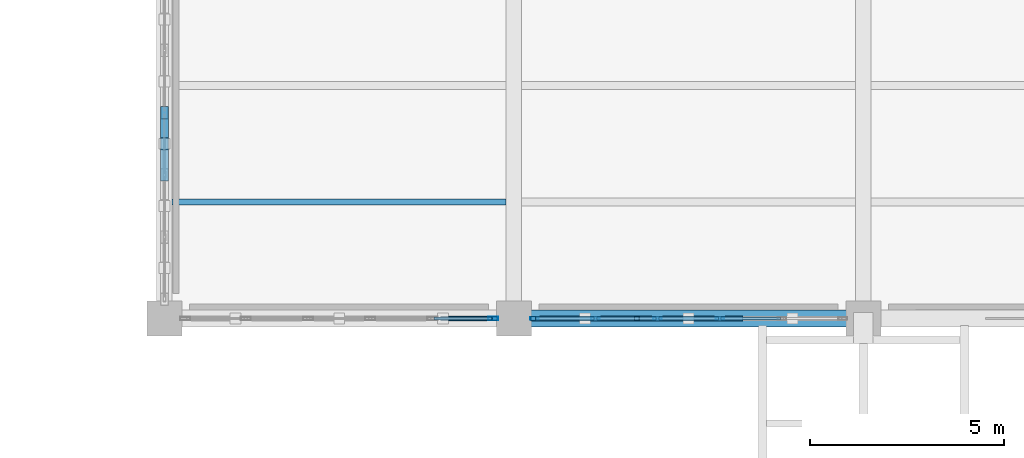
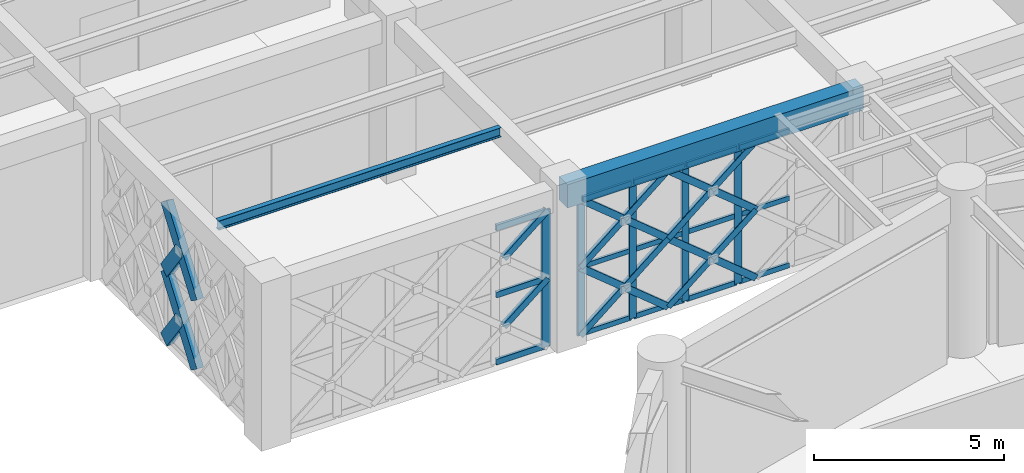
# One storey, part 75 of 166: 38 members, 2 beams, 2 elements without a shape of their own.
"""IFC4 building model written with IfcOpenShell, lengths in metres."""

from ifc_helpers import new_model, si_unit, direction, frame, origin, origin_2d, place, context, subcontext, project, spatial, rectangle, hollow_rectangle, i_section, extrude, material, material_profile, profile_set, type_object, element, aggregate, save


model = new_model("IFC4")

# Units and contexts
model_context = context("Model", 3, precision=1e-05, world=origin(), true_north=direction((0.0, 1.0)))
body_context = subcontext(model_context, "Body", "Model", "MODEL_VIEW")
ifc_project = project(units=[si_unit("LENGTHUNIT", "METRE"), si_unit("AREAUNIT", "SQUARE_METRE"), si_unit("VOLUMEUNIT", "CUBIC_METRE"), si_unit("PLANEANGLEUNIT", "RADIAN"), si_unit("MASSUNIT", "GRAM", prefix="KILO")], contexts=[model_context])

# Site, building, storey
site_placement = place(None, origin())
site = spatial("IfcSite", under=ifc_project, at=site_placement, CompositionType="ELEMENT")
building_placement = place(site_placement, origin())
building = spatial("IfcBuilding", under=site, at=building_placement, Name="Haizhuo Lancet Aquarium", CompositionType="ELEMENT")
storey_placement = place(building_placement, frame((0.0, 0.0, 5.39990234375)))
storey = spatial("IfcBuildingStorey", under=building, at=storey_placement, Name="L01", CompositionType="ELEMENT", Elevation=5.39990234375)

# Beam
ifc_material_1 = material(Name="Concrete C40/50", Category="concrete")
ifc_material_profile_1 = material_profile(ifc_material_1, rectangle(XDim=0.449951171875, YDim=0.75, at=origin_2d()), Name="RC-BM 450x750")
ifc_profile_set_1 = profile_set([ifc_material_profile_1], Name="Concrete C40/50")
beam_type_1 = type_object("IfcBeamType", Name="BM-RC-450x750", PredefinedType="BEAM", material=ifc_profile_set_1)
beam_1_placement = place(storey_placement, frame((-9.0, 27.0, 4.76513671875), z_axis=(1.0, 0.0, 0.0), x_axis=(0.0, 1.0, 0.0)))
element("IfcBeam", 1, at=beam_1_placement, inside=storey, type_object=beam_type_1, Name="L01 V5 primary girder BM-L01-V5-011", PredefinedType="BEAM", context=body_context, shape_type="SweptSolid", body=[
    extrude(rectangle(XDim=0.449951171875, YDim=0.75, at=origin_2d()), origin(), (0.0, 0.0, 1.0), 9.0),
])

# Curtain wall, members
ifc_material_2 = material(Name="Aluminium 6063-T6", Category="aluminium")
curtain_wall_type = type_object("IfcCurtainWallType", Name="CWO-8010x4390", PredefinedType="NOTDEFINED", material=ifc_material_2)
curtain_wall_1_placement = place(storey_placement, origin())
curtain_wall_1 = element("IfcCurtainWall", 2, at=curtain_wall_1_placement, inside=storey, type_object=curtain_wall_type, Name="L01 curtain wall CW-V5-L01-140", PredefinedType="NOTDEFINED")
ifc_material_profile_2 = material_profile(ifc_material_2, hollow_rectangle(XDim=0.074951171875, YDim=0.219970703125, WallThickness=0.0048828125, at=origin_2d()), Name="ALU-M 75x220x5")
ifc_profile_set_2 = profile_set([ifc_material_profile_2], Name="Aluminium 6063-T6")
member_type_1 = type_object("IfcMemberType", Name="CW-MUL-2", PredefinedType="MULLION", material=ifc_profile_set_2)
member_1_placement = place(storey_placement, frame((-3.698974609375, 27.0, 0.0), z_axis=(0.0, 0.0, 1.0), x_axis=(0.0, -1.0, 0.0)))
member_1 = element("IfcMember", 3, at=member_1_placement, type_object=member_type_1, Name="CWO-80x43 mullion 3", PredefinedType="MULLION", context=body_context, shape_type="SweptSolid", body=[
    extrude(hollow_rectangle(XDim=0.074951171875, YDim=0.219970703125, WallThickness=0.0048828125, at=origin_2d()), origin(), (0.0, 0.0, 1.0), 4.39013671875),
])
member_2_placement = place(storey_placement, frame((-5.301025390625, 27.0, 0.0), z_axis=(0.0, 0.0, 1.0), x_axis=(0.0, -1.0, 0.0)))
member_2 = element("IfcMember", 4, at=member_2_placement, type_object=member_type_1, Name="CWO-80x43 mullion 4", PredefinedType="MULLION", context=body_context, shape_type="SweptSolid", body=[
    extrude(hollow_rectangle(XDim=0.074951171875, YDim=0.219970703125, WallThickness=0.0048828125, at=origin_2d()), origin(), (0.0, 0.0, 1.0), 4.39013671875),
])
member_3_placement = place(storey_placement, frame((-6.903076171875, 27.0, 0.0), z_axis=(0.0, 0.0, 1.0), x_axis=(0.0, -1.0, 0.0)))
member_3 = element("IfcMember", 5, at=member_3_placement, type_object=member_type_1, Name="CWO-80x43 mullion 5", PredefinedType="MULLION", context=body_context, shape_type="SweptSolid", body=[
    extrude(hollow_rectangle(XDim=0.074951171875, YDim=0.219970703125, WallThickness=0.0048828125, at=origin_2d()), origin(), (0.0, 0.0, 1.0), 4.39013671875),
])
member_4_placement = place(storey_placement, frame((-8.468017578125, 27.0, 0.0), z_axis=(0.0, 0.0, 1.0), x_axis=(0.0, -1.0, 0.0)))
member_4 = element("IfcMember", 6, at=member_4_placement, type_object=member_type_1, Name="CWO-80x43 mullion 6", PredefinedType="MULLION", context=body_context, shape_type="SweptSolid", body=[
    extrude(hollow_rectangle(XDim=0.074951171875, YDim=0.219970703125, WallThickness=0.0048828125, at=origin_2d()), origin(), (0.0, 0.0, 1.0), 4.39013671875),
])

# Curtain wall, member
curtain_wall_2_placement = place(storey_placement, origin())
curtain_wall_2 = element("IfcCurtainWall", 7, at=curtain_wall_2_placement, inside=storey, type_object=curtain_wall_type, Name="L01 curtain wall CW-V5-L01-141", PredefinedType="NOTDEFINED")
ifc_material_profile_3 = material_profile(ifc_material_2, hollow_rectangle(XDim=0.080078125, YDim=0.260009765625, WallThickness=0.0048828125, at=origin_2d()), Name="ALU-M 80x260x5")
ifc_profile_set_3 = profile_set([ifc_material_profile_3], Name="Aluminium 6063-T6")
member_type_2 = type_object("IfcMemberType", Name="CW-MUL-3", PredefinedType="MULLION", material=ifc_profile_set_3)
member_5_placement = place(storey_placement, frame((-9.534912109375, 27.0, 0.0), z_axis=(0.0, 0.0, 1.0), x_axis=(0.0, -1.0, 0.0)))
member_5 = element("IfcMember", 8, at=member_5_placement, type_object=member_type_2, Name="CWO-80x43 mullion 1", PredefinedType="MULLION", context=body_context, shape_type="SweptSolid", body=[
    extrude(hollow_rectangle(XDim=0.080078125, YDim=0.260009765625, WallThickness=0.0048828125, at=origin_2d()), origin(), (0.0, 0.0, 1.0), 4.39013671875),
])

# Member
ifc_material_profile_4 = material_profile(ifc_material_2, hollow_rectangle(XDim=0.074951171875, YDim=0.159912109375, WallThickness=0.00390625, at=origin_2d()), Name="ALU-T 75x160x4")
ifc_profile_set_4 = profile_set([ifc_material_profile_4], Name="Aluminium 6063-T6")
member_type_3 = type_object("IfcMemberType", Name="CW-TRN-2", PredefinedType="NOTDEFINED", material=ifc_profile_set_4)
member_6_placement = place(storey_placement, frame((-2.135009765625, 27.0, 0.0380859375), z_axis=(-1.0, 0.0, 0.0), x_axis=(0.0, -1.0, 0.0)))
member_6 = element("IfcMember", 9, at=member_6_placement, type_object=member_type_3, Name="CWO-80x43 transom 2.1", ObjectType="TRANSOM", PredefinedType="USERDEFINED", context=body_context, shape_type="SweptSolid", body=[
    extrude(hollow_rectangle(XDim=0.074951171875, YDim=0.159912109375, WallThickness=0.00390625, at=origin_2d()), origin(), (0.0, 0.0, 1.0), 1.527099609375),
])

member_7_placement = place(storey_placement, frame((-2.135009765625, 27.0, 2.195068359375), z_axis=(-1.0, 0.0, 0.0), x_axis=(0.0, -1.0, 0.0)))
member_7 = element("IfcMember", 10, at=member_7_placement, type_object=member_type_3, Name="CWO-80x43 transom 2.2", ObjectType="TRANSOM", PredefinedType="USERDEFINED", context=body_context, shape_type="SweptSolid", body=[
    extrude(hollow_rectangle(XDim=0.074951171875, YDim=0.159912109375, WallThickness=0.00390625, at=origin_2d()), origin(), (0.0, 0.0, 1.0), 1.527099609375),
])

member_8_placement = place(storey_placement, frame((-2.135009765625, 27.0, 4.35205078125), z_axis=(-1.0, 0.0, 0.0), x_axis=(0.0, -1.0, 0.0)))
member_8 = element("IfcMember", 11, at=member_8_placement, type_object=member_type_3, Name="CWO-80x43 transom 2.3", ObjectType="TRANSOM", PredefinedType="USERDEFINED", context=body_context, shape_type="SweptSolid", body=[
    extrude(hollow_rectangle(XDim=0.074951171875, YDim=0.159912109375, WallThickness=0.00390625, at=origin_2d()), origin(), (0.0, 0.0, 1.0), 1.527099609375),
])

member_9_placement = place(storey_placement, frame((-3.737060546875, 27.0, 0.0380859375), z_axis=(-1.0, 0.0, 0.0), x_axis=(0.0, -1.0, 0.0)))
member_9 = element("IfcMember", 12, at=member_9_placement, type_object=member_type_3, Name="CWO-80x43 transom 3.1", ObjectType="TRANSOM", PredefinedType="USERDEFINED", context=body_context, shape_type="SweptSolid", body=[
    extrude(hollow_rectangle(XDim=0.074951171875, YDim=0.159912109375, WallThickness=0.00390625, at=origin_2d()), origin(), (0.0, 0.0, 1.0), 1.52685546875),
])

member_10_placement = place(storey_placement, frame((-3.737060546875, 27.0, 2.195068359375), z_axis=(-1.0, 0.0, 0.0), x_axis=(0.0, -1.0, 0.0)))
member_10 = element("IfcMember", 13, at=member_10_placement, type_object=member_type_3, Name="CWO-80x43 transom 3.2", ObjectType="TRANSOM", PredefinedType="USERDEFINED", context=body_context, shape_type="SweptSolid", body=[
    extrude(hollow_rectangle(XDim=0.074951171875, YDim=0.159912109375, WallThickness=0.00390625, at=origin_2d()), origin(), (0.0, 0.0, 1.0), 1.52685546875),
])

member_11_placement = place(storey_placement, frame((-3.737060546875, 27.0, 4.35205078125), z_axis=(-1.0, 0.0, 0.0), x_axis=(0.0, -1.0, 0.0)))
member_11 = element("IfcMember", 14, at=member_11_placement, type_object=member_type_3, Name="CWO-80x43 transom 3.3", ObjectType="TRANSOM", PredefinedType="USERDEFINED", context=body_context, shape_type="SweptSolid", body=[
    extrude(hollow_rectangle(XDim=0.074951171875, YDim=0.159912109375, WallThickness=0.00390625, at=origin_2d()), origin(), (0.0, 0.0, 1.0), 1.52685546875),
])

member_12_placement = place(storey_placement, frame((-5.339111328125, 27.0, 0.0380859375), z_axis=(-1.0, 0.0, 0.0), x_axis=(0.0, -1.0, 0.0)))
member_12 = element("IfcMember", 15, at=member_12_placement, type_object=member_type_3, Name="CWO-80x43 transom 4.1", ObjectType="TRANSOM", PredefinedType="USERDEFINED", context=body_context, shape_type="SweptSolid", body=[
    extrude(hollow_rectangle(XDim=0.074951171875, YDim=0.159912109375, WallThickness=0.00390625, at=origin_2d()), origin(), (0.0, 0.0, 1.0), 1.52685546875),
])

member_13_placement = place(storey_placement, frame((-5.339111328125, 27.0, 2.195068359375), z_axis=(-1.0, 0.0, 0.0), x_axis=(0.0, -1.0, 0.0)))
member_13 = element("IfcMember", 16, at=member_13_placement, type_object=member_type_3, Name="CWO-80x43 transom 4.2", ObjectType="TRANSOM", PredefinedType="USERDEFINED", context=body_context, shape_type="SweptSolid", body=[
    extrude(hollow_rectangle(XDim=0.074951171875, YDim=0.159912109375, WallThickness=0.00390625, at=origin_2d()), origin(), (0.0, 0.0, 1.0), 1.52685546875),
])

member_14_placement = place(storey_placement, frame((-5.339111328125, 27.0, 4.35205078125), z_axis=(-1.0, 0.0, 0.0), x_axis=(0.0, -1.0, 0.0)))
member_14 = element("IfcMember", 17, at=member_14_placement, type_object=member_type_3, Name="CWO-80x43 transom 4.3", ObjectType="TRANSOM", PredefinedType="USERDEFINED", context=body_context, shape_type="SweptSolid", body=[
    extrude(hollow_rectangle(XDim=0.074951171875, YDim=0.159912109375, WallThickness=0.00390625, at=origin_2d()), origin(), (0.0, 0.0, 1.0), 1.52685546875),
])

member_15_placement = place(storey_placement, frame((-6.94091796875, 27.0, 0.0380859375), z_axis=(-1.0, 0.0, 0.0), x_axis=(0.0, -1.0, 0.0)))
member_15 = element("IfcMember", 18, at=member_15_placement, type_object=member_type_3, Name="CWO-80x43 transom 5.1", ObjectType="TRANSOM", PredefinedType="USERDEFINED", context=body_context, shape_type="SweptSolid", body=[
    extrude(hollow_rectangle(XDim=0.074951171875, YDim=0.159912109375, WallThickness=0.00390625, at=origin_2d()), origin(), (0.0, 0.0, 1.0), 1.489013671875),
])

member_16_placement = place(storey_placement, frame((-6.94091796875, 27.0, 2.195068359375), z_axis=(-1.0, 0.0, 0.0), x_axis=(0.0, -1.0, 0.0)))
member_16 = element("IfcMember", 19, at=member_16_placement, type_object=member_type_3, Name="CWO-80x43 transom 5.2", ObjectType="TRANSOM", PredefinedType="USERDEFINED", context=body_context, shape_type="SweptSolid", body=[
    extrude(hollow_rectangle(XDim=0.074951171875, YDim=0.159912109375, WallThickness=0.00390625, at=origin_2d()), origin(), (0.0, 0.0, 1.0), 1.489013671875),
])

member_17_placement = place(storey_placement, frame((-6.94091796875, 27.0, 4.35205078125), z_axis=(-1.0, 0.0, 0.0), x_axis=(0.0, -1.0, 0.0)))
member_17 = element("IfcMember", 20, at=member_17_placement, type_object=member_type_3, Name="CWO-80x43 transom 5.3", ObjectType="TRANSOM", PredefinedType="USERDEFINED", context=body_context, shape_type="SweptSolid", body=[
    extrude(hollow_rectangle(XDim=0.074951171875, YDim=0.159912109375, WallThickness=0.00390625, at=origin_2d()), origin(), (0.0, 0.0, 1.0), 1.489013671875),
])

aggregate(curtain_wall_1, [member_1, member_2, member_3, member_4, member_6, member_7, member_8, member_9, member_10, member_11, member_12, member_13, member_14, member_15, member_16, member_17])

ifc_material_profile_5 = material_profile(ifc_material_2, hollow_rectangle(XDim=0.080078125, YDim=0.18994140625, WallThickness=0.0048828125, at=origin_2d()), Name="ALU-T 80x190x5")
ifc_profile_set_5 = profile_set([ifc_material_profile_5], Name="Aluminium 6063-T6")
member_type_4 = type_object("IfcMemberType", Name="CW-TRN-3", PredefinedType="NOTDEFINED", material=ifc_profile_set_5)
member_18_placement = place(storey_placement, frame((-9.574951171875, 27.0, 0.0400390625), z_axis=(-1.0, 0.0, 0.0), x_axis=(0.0, -1.0, 0.0)))
member_18 = element("IfcMember", 21, at=member_18_placement, type_object=member_type_4, Name="CWO-80x43 transom 1.1", ObjectType="TRANSOM", PredefinedType="USERDEFINED", context=body_context, shape_type="SweptSolid", body=[
    extrude(hollow_rectangle(XDim=0.080078125, YDim=0.18994140625, WallThickness=0.0048828125, at=origin_2d()), origin(), (0.0, 0.0, 1.0), 1.48193359375),
])

member_19_placement = place(storey_placement, frame((-9.574951171875, 27.0, 2.195068359375), z_axis=(-1.0, 0.0, 0.0), x_axis=(0.0, -1.0, 0.0)))
member_19 = element("IfcMember", 22, at=member_19_placement, type_object=member_type_4, Name="CWO-80x43 transom 1.2", ObjectType="TRANSOM", PredefinedType="USERDEFINED", context=body_context, shape_type="SweptSolid", body=[
    extrude(hollow_rectangle(XDim=0.080078125, YDim=0.18994140625, WallThickness=0.0048828125, at=origin_2d()), origin(), (0.0, 0.0, 1.0), 1.48193359375),
])

member_20_placement = place(storey_placement, frame((-9.574951171875, 27.0, 4.35009765625), z_axis=(-1.0, 0.0, 0.0), x_axis=(0.0, -1.0, 0.0)))
member_20 = element("IfcMember", 23, at=member_20_placement, type_object=member_type_4, Name="CWO-80x43 transom 1.3", ObjectType="TRANSOM", PredefinedType="USERDEFINED", context=body_context, shape_type="SweptSolid", body=[
    extrude(hollow_rectangle(XDim=0.080078125, YDim=0.18994140625, WallThickness=0.0048828125, at=origin_2d()), origin(), (0.0, 0.0, 1.0), 1.48193359375),
])

aggregate(curtain_wall_2, [member_5, member_18, member_19, member_20])

# Beam
ifc_material_3 = material(Name="Steel S355", Category="steel")
ifc_material_profile_6 = material_profile(ifc_material_3, i_section(OverallWidth=0.14990234375, OverallDepth=0.300048828125, WebThickness=0.006591796875, FlangeThickness=0.009033203125, FilletRadius=0.012939453125, at=origin_2d()), Name="HN 300x150x6.5x9")
ifc_profile_set_6 = profile_set([ifc_material_profile_6], Name="Steel S355")
beam_type_2 = type_object("IfcBeamType", Name="JST-ST-HN300", PredefinedType="JOIST", material=ifc_profile_set_6)
beam_2_placement = place(storey_placement, frame((-17.800048828125, 30.0, 4.989990234375), z_axis=(1.0, 0.0, 0.0), x_axis=(0.0, 1.0, 0.0)))
element("IfcBeam", 24, at=beam_2_placement, inside=storey, type_object=beam_type_2, Name="L01 V5 secondary floor joist 2", PredefinedType="JOIST", context=body_context, shape_type="SweptSolid", body=[
    extrude(i_section(OverallWidth=0.14990234375, OverallDepth=0.300048828125, WebThickness=0.006591796875, FlangeThickness=0.009033203125, FilletRadius=0.012939453125, at=origin_2d()), origin(), (0.0, 0.0, 1.0), 8.60009765625),
])

# Members
ifc_material_profile_7 = material_profile(ifc_material_3, hollow_rectangle(XDim=0.1201171875, YDim=0.199951171875, WallThickness=0.008056640625, at=origin_2d()), Name="RHS 120x200x8")
ifc_profile_set_7 = profile_set([ifc_material_profile_7], Name="Steel S355")
member_type_5 = type_object("IfcMemberType", Name="MEM-LB-RHS120x200", PredefinedType="BRACE", material=ifc_profile_set_7)
member_21_placement = place(storey_placement, frame((-3.1650390625, 27.0, 0.0), z_axis=(-0.772453976084, 0.0, 0.635070747895), x_axis=(0.0, -1.0, 0.0)))
element("IfcMember", 25, at=member_21_placement, inside=storey, type_object=member_type_5, Name="Gothic lancet continuous diagonal brace CW-V5-L01-140 3A", PredefinedType="BRACE", context=body_context, shape_type="SweptSolid", body=[
    extrude(hollow_rectangle(XDim=0.1201171875, YDim=0.199951171875, WallThickness=0.008056640625, at=origin_2d()), origin(), (0.0, 0.0, 1.0), 3.456298828125),
])
member_22_placement = place(storey_placement, frame((-5.8349609375, 27.0, 0.0), z_axis=(0.772280733977, 0.0, 0.635281408454), x_axis=(0.0, 1.0, 0.0)))
element("IfcMember", 26, at=member_22_placement, inside=storey, type_object=member_type_5, Name="Gothic lancet split diagonal brace CW-V5-L01-140 3B1", PredefinedType="BRACE", context=body_context, shape_type="SweptSolid", body=[
    extrude(hollow_rectangle(XDim=0.1201171875, YDim=0.199951171875, WallThickness=0.008056640625, at=origin_2d()), origin(), (0.0, 0.0, 1.0), 1.728515625),
])
member_23_placement = place(storey_placement, frame((-4.5, 27.0, 1.09814453125), z_axis=(0.772627238419, 0.0, 0.634859945541), x_axis=(0.0, 1.0, 0.0)))
element("IfcMember", 27, at=member_23_placement, inside=storey, type_object=member_type_5, Name="Gothic lancet split diagonal brace CW-V5-L01-140 3B2", PredefinedType="BRACE", context=body_context, shape_type="SweptSolid", body=[
    extrude(hollow_rectangle(XDim=0.1201171875, YDim=0.199951171875, WallThickness=0.008056640625, at=origin_2d()), origin(), (0.0, 0.0, 1.0), 1.727783203125),
])
member_24_placement = place(storey_placement, frame((-3.1650390625, 27.0, 2.195068359375), z_axis=(-0.772453976084, 0.0, 0.635070747895), x_axis=(0.0, -1.0, 0.0)))
element("IfcMember", 28, at=member_24_placement, inside=storey, type_object=member_type_5, Name="Gothic lancet continuous diagonal brace CW-V5-L01-140 4A", PredefinedType="BRACE", context=body_context, shape_type="SweptSolid", body=[
    extrude(hollow_rectangle(XDim=0.1201171875, YDim=0.199951171875, WallThickness=0.008056640625, at=origin_2d()), origin(), (0.0, 0.0, 1.0), 3.456298828125),
])
member_25_placement = place(storey_placement, frame((-5.8349609375, 27.0, 2.195068359375), z_axis=(0.772627238419, 0.0, 0.634859945541), x_axis=(0.0, 1.0, 0.0)))
element("IfcMember", 29, at=member_25_placement, inside=storey, type_object=member_type_5, Name="Gothic lancet split diagonal brace CW-V5-L01-140 4B1", PredefinedType="BRACE", context=body_context, shape_type="SweptSolid", body=[
    extrude(hollow_rectangle(XDim=0.1201171875, YDim=0.199951171875, WallThickness=0.008056640625, at=origin_2d()), origin(), (0.0, 0.0, 1.0), 1.727783203125),
])
member_26_placement = place(storey_placement, frame((-4.5, 27.0, 3.2919921875), z_axis=(0.772280733977, 0.0, 0.635281408454), x_axis=(0.0, 1.0, 0.0)))
element("IfcMember", 30, at=member_26_placement, inside=storey, type_object=member_type_5, Name="Gothic lancet split diagonal brace CW-V5-L01-140 4B2", PredefinedType="BRACE", context=body_context, shape_type="SweptSolid", body=[
    extrude(hollow_rectangle(XDim=0.1201171875, YDim=0.199951171875, WallThickness=0.008056640625, at=origin_2d()), origin(), (0.0, 0.0, 1.0), 1.728515625),
])
member_27_placement = place(storey_placement, frame((-5.8349609375, 27.0, 0.0), z_axis=(-0.772453976084, 0.0, 0.635070747895), x_axis=(0.0, -1.0, 0.0)))
element("IfcMember", 31, at=member_27_placement, inside=storey, type_object=member_type_5, Name="Gothic lancet continuous diagonal brace CW-V5-L01-140 5A", PredefinedType="BRACE", context=body_context, shape_type="SweptSolid", body=[
    extrude(hollow_rectangle(XDim=0.1201171875, YDim=0.199951171875, WallThickness=0.008056640625, at=origin_2d()), origin(), (0.0, 0.0, 1.0), 3.456298828125),
])
member_28_placement = place(storey_placement, frame((-8.5048828125, 27.0, 0.0), z_axis=(0.772280733977, 0.0, 0.635281408454), x_axis=(0.0, 1.0, 0.0)))
element("IfcMember", 32, at=member_28_placement, inside=storey, type_object=member_type_5, Name="Gothic lancet split diagonal brace CW-V5-L01-140 5B1", PredefinedType="BRACE", context=body_context, shape_type="SweptSolid", body=[
    extrude(hollow_rectangle(XDim=0.1201171875, YDim=0.199951171875, WallThickness=0.008056640625, at=origin_2d()), origin(), (0.0, 0.0, 1.0), 1.728515625),
])
member_29_placement = place(storey_placement, frame((-7.169921875, 27.0, 1.09814453125), z_axis=(0.772627238419, 0.0, 0.634859945541), x_axis=(0.0, 1.0, 0.0)))
element("IfcMember", 33, at=member_29_placement, inside=storey, type_object=member_type_5, Name="Gothic lancet split diagonal brace CW-V5-L01-140 5B2", PredefinedType="BRACE", context=body_context, shape_type="SweptSolid", body=[
    extrude(hollow_rectangle(XDim=0.1201171875, YDim=0.199951171875, WallThickness=0.008056640625, at=origin_2d()), origin(), (0.0, 0.0, 1.0), 1.727783203125),
])
member_30_placement = place(storey_placement, frame((-5.8349609375, 27.0, 2.195068359375), z_axis=(-0.772453976084, 0.0, 0.635070747895), x_axis=(0.0, -1.0, 0.0)))
element("IfcMember", 34, at=member_30_placement, inside=storey, type_object=member_type_5, Name="Gothic lancet continuous diagonal brace CW-V5-L01-140 6A", PredefinedType="BRACE", context=body_context, shape_type="SweptSolid", body=[
    extrude(hollow_rectangle(XDim=0.1201171875, YDim=0.199951171875, WallThickness=0.008056640625, at=origin_2d()), origin(), (0.0, 0.0, 1.0), 3.456298828125),
])
member_31_placement = place(storey_placement, frame((-8.5048828125, 27.0, 2.195068359375), z_axis=(0.772627238419, 0.0, 0.634859945541), x_axis=(0.0, 1.0, 0.0)))
element("IfcMember", 35, at=member_31_placement, inside=storey, type_object=member_type_5, Name="Gothic lancet split diagonal brace CW-V5-L01-140 6B1", PredefinedType="BRACE", context=body_context, shape_type="SweptSolid", body=[
    extrude(hollow_rectangle(XDim=0.1201171875, YDim=0.199951171875, WallThickness=0.008056640625, at=origin_2d()), origin(), (0.0, 0.0, 1.0), 1.727783203125),
])
member_32_placement = place(storey_placement, frame((-7.169921875, 27.0, 3.2919921875), z_axis=(0.772280733977, 0.0, 0.635281408454), x_axis=(0.0, 1.0, 0.0)))
element("IfcMember", 36, at=member_32_placement, inside=storey, type_object=member_type_5, Name="Gothic lancet split diagonal brace CW-V5-L01-140 6B2", PredefinedType="BRACE", context=body_context, shape_type="SweptSolid", body=[
    extrude(hollow_rectangle(XDim=0.1201171875, YDim=0.199951171875, WallThickness=0.008056640625, at=origin_2d()), origin(), (0.0, 0.0, 1.0), 1.728515625),
])
member_33_placement = place(storey_placement, frame((-10.830078125, 27.0, 1.09814453125), z_axis=(0.772627238419, 0.0, 0.634859945541), x_axis=(0.0, 1.0, 0.0)))
element("IfcMember", 37, at=member_33_placement, inside=storey, type_object=member_type_5, Name="Gothic lancet split diagonal brace CW-V5-L01-141 1B2", PredefinedType="BRACE", context=body_context, shape_type="SweptSolid", body=[
    extrude(hollow_rectangle(XDim=0.1201171875, YDim=0.199951171875, WallThickness=0.008056640625, at=origin_2d()), origin(), (0.0, 0.0, 1.0), 1.727783203125),
])
member_34_placement = place(storey_placement, frame((-10.830078125, 27.0, 3.2919921875), z_axis=(0.772280733977, 0.0, 0.635281408454), x_axis=(0.0, 1.0, 0.0)))
element("IfcMember", 38, at=member_34_placement, inside=storey, type_object=member_type_5, Name="Gothic lancet split diagonal brace CW-V5-L01-141 2B2", PredefinedType="BRACE", context=body_context, shape_type="SweptSolid", body=[
    extrude(hollow_rectangle(XDim=0.1201171875, YDim=0.199951171875, WallThickness=0.008056640625, at=origin_2d()), origin(), (0.0, 0.0, 1.0), 1.728515625),
])
ifc_material_profile_8 = material_profile(ifc_material_3, hollow_rectangle(XDim=0.199951171875, YDim=0.39990234375, WallThickness=0.011962890625, at=origin_2d()), Name="RHS 200x400x12")
ifc_profile_set_8 = profile_set([ifc_material_profile_8], Name="Steel S355")
member_type_6 = type_object("IfcMemberType", Name="MEM-LB-RHS200x400", PredefinedType="BRACE", material=ifc_profile_set_8)
member_35_placement = place(storey_placement, frame((-18.0, 30.698974609375, 0.0), z_axis=(0.0, 0.585145389624, 0.810928401896), x_axis=(-1.0, 0.0, 0.0)))
element("IfcMember", 39, at=member_35_placement, inside=storey, type_object=member_type_6, Name="Gothic lancet continuous diagonal brace CW-V5-L01-142 5A", PredefinedType="BRACE", context=body_context, shape_type="SweptSolid", body=[
    extrude(hollow_rectangle(XDim=0.199951171875, YDim=0.39990234375, WallThickness=0.011962890625, at=origin_2d()), origin(), (0.0, 0.0, 1.0), 2.73779296875),
])
member_36_placement = place(storey_placement, frame((-18.0, 32.301025390625, 0.0), z_axis=(0.0, -0.585145389624, 0.810928401896), x_axis=(1.0, 0.0, 0.0)))
element("IfcMember", 40, at=member_36_placement, inside=storey, type_object=member_type_6, Name="Gothic lancet split diagonal brace CW-V5-L01-142 5B1", PredefinedType="BRACE", context=body_context, shape_type="SweptSolid", body=[
    extrude(hollow_rectangle(XDim=0.199951171875, YDim=0.39990234375, WallThickness=0.011962890625, at=origin_2d()), origin(), (0.0, 0.0, 1.0), 1.368896484375),
])
member_37_placement = place(storey_placement, frame((-18.0, 30.698974609375, 2.22021484375), z_axis=(0.0, 0.585187704891, 0.810897866592), x_axis=(-1.0, 0.0, 0.0)))
element("IfcMember", 41, at=member_37_placement, inside=storey, type_object=member_type_6, Name="Gothic lancet continuous diagonal brace CW-V5-L01-142 6A", PredefinedType="BRACE", context=body_context, shape_type="SweptSolid", body=[
    extrude(hollow_rectangle(XDim=0.199951171875, YDim=0.39990234375, WallThickness=0.011962890625, at=origin_2d()), origin(), (0.0, 0.0, 1.0), 2.737548828125),
])
member_38_placement = place(storey_placement, frame((-18.0, 32.301025390625, 2.22021484375), z_axis=(0.0, -0.585230024685, 0.810867324663), x_axis=(1.0, 0.0, 0.0)))
element("IfcMember", 42, at=member_38_placement, inside=storey, type_object=member_type_6, Name="Gothic lancet split diagonal brace CW-V5-L01-142 6B1", PredefinedType="BRACE", context=body_context, shape_type="SweptSolid", body=[
    extrude(hollow_rectangle(XDim=0.199951171875, YDim=0.39990234375, WallThickness=0.011962890625, at=origin_2d()), origin(), (0.0, 0.0, 1.0), 1.36865234375),
])

save(model, "model.ifc")
